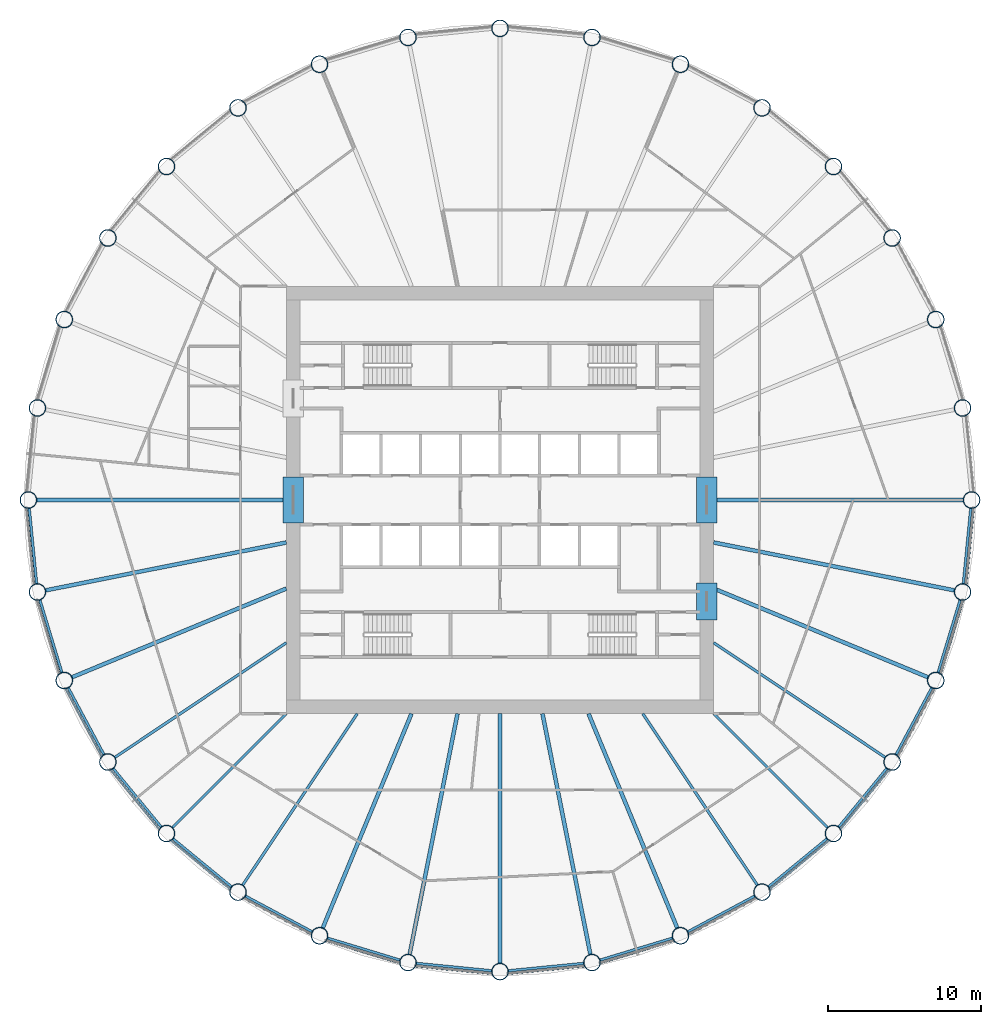
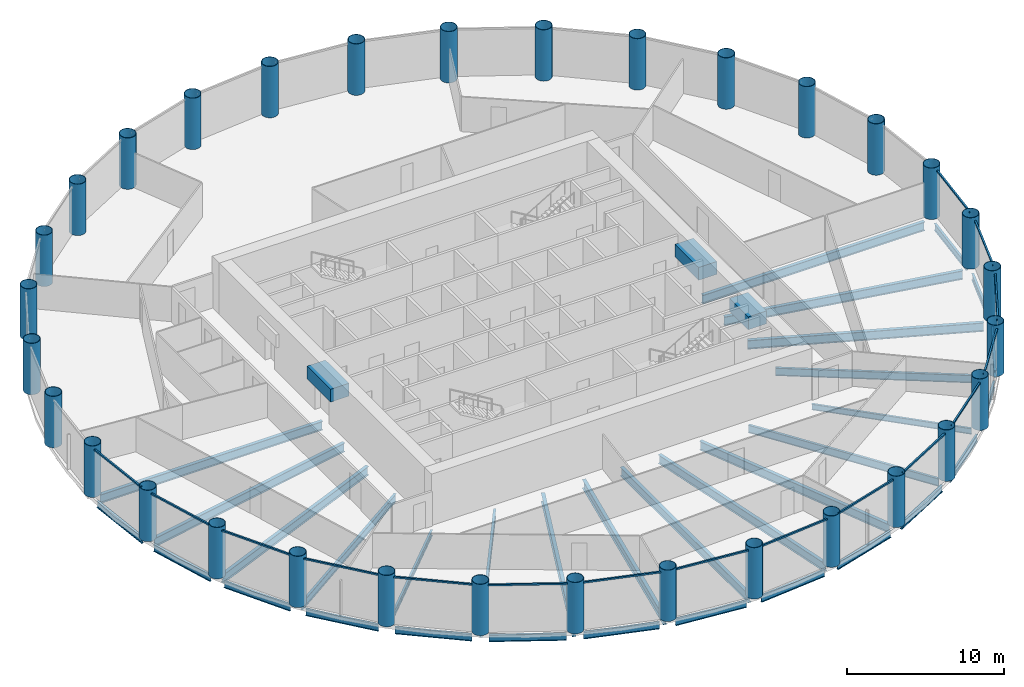
# One storey, part 1 of 9: 36 beams, 32 columns, 16 members, 16 elements without a shape of their own.
"""IFC4 building model written with IfcOpenShell, lengths in metres."""

import ifcopenshell
import ifcopenshell.guid

model = None  # the IFC model being written
_history = None  # IfcOwnerHistory: only IFC2X3 demands one
_inside = {}  # id of a spatial element -> (the spatial element, [elements in it])
_under = {}  # id of a project, library or spatial element -> (it, [spatial elements below it])
_declared = {}  # id of a project -> (the project, [libraries it declares])
_typed = {}  # id of a type object -> (the type object, [elements of that type])
_made_of = {}  # id of a material, layer set ... -> (it, [elements and type objects made of it])


def new_model(schema):
    """Start an empty IFC model of exactly this schema.

    Asked for "IFC4X3", IfcOpenShell would pick the latest addendum, in which some entities
    have other attributes; the version numbers below select the first issue.
    IFC2X3 requires an IfcOwnerHistory on every rooted entity: one is made here for all.
    """
    global model, _history
    if schema == "IFC4X3":
        model = ifcopenshell.file(schema_version=(4, 3, 0, 0))
    else:
        model = ifcopenshell.file(schema=schema)
    _inside.clear()
    _under.clear()
    _declared.clear()
    _typed.clear()
    _made_of.clear()
    _history = None
    if model.schema == "IFC2X3":
        org = make("IfcOrganization", Name="unknown")
        user = make(
            "IfcPersonAndOrganization",
            ThePerson=make("IfcPerson", FamilyName="unknown"),
            TheOrganization=org,
        )
        app = make(
            "IfcApplication",
            ApplicationDeveloper=org,
            Version="unknown",
            ApplicationFullName="unknown",
            ApplicationIdentifier="unknown",
        )
        _history = make(
            "IfcOwnerHistory",
            OwningUser=user,
            OwningApplication=app,
            ChangeAction="ADDED",
            CreationDate=0,
        )
    return model


def make(cls, **values):
    """One entity of the class cls with the attributes given. An attribute that is None is left unset."""
    return model.create_entity(
        cls, **{name: value for name, value in values.items() if value is not None}
    )


def rooted(cls, **values):
    """An entity with a GlobalId (a new one), such as an element, a storey or a relation."""
    return make(cls, GlobalId=ifcopenshell.guid.new(), OwnerHistory=_history, **values)


def si_unit(unit_type, name, prefix=None):
    """IfcSIUnit, for example si_unit("LENGTHUNIT", "METRE", prefix="MILLI")."""
    return make("IfcSIUnit", UnitType=unit_type, Prefix=prefix, Name=name)


def assignment(units):
    """IfcUnitAssignment: the units of a project."""
    return None if units is None else make("IfcUnitAssignment", Units=units)


def point(xyz):
    """IfcCartesianPoint."""
    return None if xyz is None else make("IfcCartesianPoint", Coordinates=xyz)


def direction(xyz):
    """IfcDirection."""
    return None if xyz is None else make("IfcDirection", DirectionRatios=xyz)


def frame(location, z_axis=None, x_axis=None):
    """IfcAxis2Placement3D, a coordinate frame: its origin and axes. An axis left out is left unset."""
    return make(
        "IfcAxis2Placement3D",
        Location=point(location),
        Axis=direction(z_axis),
        RefDirection=direction(x_axis),
    )


def frame_2d(location, x_axis=None):
    """IfcAxis2Placement2D, a coordinate frame in the plane: its origin and x axis."""
    return make(
        "IfcAxis2Placement2D", Location=point(location), RefDirection=direction(x_axis)
    )


def origin():
    """The frame at (0, 0, 0) with its axes left unset."""
    return frame((0.0, 0.0, 0.0))


def origin_2d():
    """The frame at (0, 0) in the plane with its x axis left unset."""
    return frame_2d((0.0, 0.0))


def place(relative_to, where):
    """IfcLocalPlacement: puts the frame where relative to a parent placement (None: the world)."""
    return make(
        "IfcLocalPlacement", PlacementRelTo=relative_to, RelativePlacement=where
    )


def context(
    kind, dimensions, precision=None, world=None, true_north=None, identifier=None
):
    """IfcGeometricRepresentationContext, for example the 3D "Model" context."""
    return make(
        "IfcGeometricRepresentationContext",
        ContextIdentifier=identifier,
        ContextType=kind,
        CoordinateSpaceDimension=dimensions,
        Precision=precision,
        WorldCoordinateSystem=world,
        TrueNorth=true_north,
    )


def subcontext(parent, identifier, kind, view, scale=None):
    """IfcGeometricRepresentationSubContext, for example "Body" below "Model"."""
    return make(
        "IfcGeometricRepresentationSubContext",
        ContextIdentifier=identifier,
        ContextType=kind,
        ParentContext=parent,
        TargetScale=scale,
        TargetView=view,
    )


def project(units=None, contexts=None):
    """IfcProject with its units and contexts."""
    return rooted(
        "IfcProject",
        Name="project",
        RepresentationContexts=contexts,
        UnitsInContext=assignment(units),
    )


def spatial(cls, under=None, at=None, **own):
    """A site, building, storey or space (cls), placed at a placement, below another one or the project."""
    s = rooted(cls, ObjectPlacement=at, **own)
    if under is not None:
        _under.setdefault(under.id(), (under, []))[1].append(s)
    return s


def profile(cls, at=None, kind="AREA", **sizes):
    """A parametric profile (cls). Its sizes go by their IFC names, for example OverallWidth=200.0."""
    return make(cls, ProfileType=kind, Position=at, **sizes)


def rectangle(**sizes):
    """IfcRectangleProfileDef."""
    return profile("IfcRectangleProfileDef", **sizes)


def hollow_circle(**sizes):
    """IfcCircleHollowProfileDef."""
    return profile("IfcCircleHollowProfileDef", **sizes)


def i_section(**sizes):
    """IfcIShapeProfileDef."""
    return profile("IfcIShapeProfileDef", **sizes)


def extrude(swept, where, along, depth):
    """IfcExtrudedAreaSolid: the profile swept, set in the frame where, extruded along a direction by depth."""
    return make(
        "IfcExtrudedAreaSolid",
        SweptArea=swept,
        Position=where,
        ExtrudedDirection=direction(along),
        Depth=depth,
    )


def shape(context_of_items, identifier, shape_type, items):
    """IfcShapeRepresentation: the items that make up one representation, for example the "Body"."""
    return make(
        "IfcShapeRepresentation",
        ContextOfItems=context_of_items,
        RepresentationIdentifier=identifier,
        RepresentationType=shape_type,
        Items=items,
    )


def material(Name=None, Category=None):
    """IfcMaterial."""
    return make("IfcMaterial", Name=Name, Category=Category)


def material_profile(
    of_material, cross_section, Name=None, Category=None, Priority=None
):
    """IfcMaterialProfile: a cross section and its material."""
    return make(
        "IfcMaterialProfile",
        Name=Name,
        Material=of_material,
        Profile=cross_section,
        Priority=Priority,
        Category=Category,
    )


def profile_set(profiles, Name=None, composite=None):
    """IfcMaterialProfileSet."""
    return make(
        "IfcMaterialProfileSet",
        Name=Name,
        MaterialProfiles=profiles,
        CompositeProfile=composite,
    )


def made_of(thing, what):
    """Note that an element or type object is made of a material, layer set ...; save() writes the relation."""
    if what is not None:
        _made_of.setdefault(what.id(), (what, []))[1].append(thing)
    return thing


def type_object(cls, material=None, **own):
    """A type object (cls), such as IfcWallType, which elements share."""
    return made_of(rooted(cls, **own), material)


def element(
    cls,
    number,
    at=None,
    inside=None,
    cuts=None,
    type_object=None,
    material=None,
    context=None,
    identifier="Body",
    shape_type=None,
    held_by="IfcProductDefinitionShape",
    body=None,
    shapes=None,
    **own,
):
    """One element of the class cls, such as IfcWall. Its Tag is "e" and its number.

    at: its placement. inside: the storey or other place that contains it. cuts: it is an
    opening in that element (IfcRelVoidsElement). A single representation is given by context,
    identifier, shape_type and body (its items); several are given by shapes. held_by: the class
    of the entity that holds the representations. save() writes the other relations.
    """
    e = rooted(cls, Tag="e%d" % number, ObjectPlacement=at, **own)
    if body is not None:
        shapes = [shape(context, identifier, shape_type, body)]
    if shapes is not None:
        e.Representation = make(held_by, Representations=shapes)
    if inside is not None:
        _inside.setdefault(inside.id(), (inside, []))[1].append(e)
    if cuts is not None:
        rooted(
            "IfcRelVoidsElement", RelatingBuildingElement=cuts, RelatedOpeningElement=e
        )
    if type_object is not None:
        _typed.setdefault(type_object.id(), (type_object, []))[1].append(e)
    return made_of(e, material)


def aggregate(whole, parts):
    """IfcRelAggregates: a whole, such as a stair, and the parts it consists of."""
    return rooted("IfcRelAggregates", RelatingObject=whole, RelatedObjects=parts)


def save(model, path):
    """Write the relations noted so far, then the file.

    IfcRelAggregates (storeys below a building ...), IfcRelContainedInSpatialStructure (elements
    in a storey), IfcRelDefinesByType, IfcRelAssociatesMaterial and IfcRelDeclares: one each for
    every whole, place, type object, material and project.
    """
    for whole, parts in _under.values():
        aggregate(whole, parts)
    for where, things in _inside.values():
        rooted(
            "IfcRelContainedInSpatialStructure",
            RelatedElements=things,
            RelatingStructure=where,
        )
    for kind, things in _typed.values():
        rooted("IfcRelDefinesByType", RelatedObjects=things, RelatingType=kind)
    for what, things in _made_of.values():
        rooted("IfcRelAssociatesMaterial", RelatedObjects=things, RelatingMaterial=what)
    for by, libraries in _declared.values():
        rooted("IfcRelDeclares", RelatingContext=by, RelatedDefinitions=libraries)
    model.write(path)


model = new_model("IFC4")

# Units and contexts
model_context = context("Model", 3, precision=1e-05, world=origin(), true_north=direction((0.0, 1.0)))
body_context = subcontext(model_context, "Body", "Model", "MODEL_VIEW")
ifc_project = project(units=[si_unit("LENGTHUNIT", "METRE"), si_unit("AREAUNIT", "SQUARE_METRE"), si_unit("VOLUMEUNIT", "CUBIC_METRE"), si_unit("PLANEANGLEUNIT", "RADIAN"), si_unit("MASSUNIT", "GRAM", prefix="KILO")], contexts=[model_context])

# Site, building, storey
site_placement = place(None, origin())
site = spatial("IfcSite", under=ifc_project, at=site_placement, CompositionType="ELEMENT")
building_placement = place(site_placement, origin())
building = spatial("IfcBuilding", under=site, at=building_placement, Name="Corvane Civic Tower", CompositionType="ELEMENT")
storey_placement = place(building_placement, frame((0.0, 0.0, 164.0)))
storey = spatial("IfcBuildingStorey", under=building, at=storey_placement, Name="L38", CompositionType="ELEMENT", Elevation=164.0)

# Columns
ifc_material_1 = material(Name="Steel ASTM A572 Gr 50", Category="steel")
ifc_material_profile_1 = material_profile(ifc_material_1, hollow_circle(Radius=0.550048828125, WallThickness=0.031982421875, at=origin_2d()), Name="CHS1100X32")
ifc_profile_set_1 = profile_set([ifc_material_profile_1], Name="Steel ASTM A572 Gr 50")
column_type = type_object("IfcColumnType", Name="COMPOSITE COLUMN CHS1100X32", PredefinedType="COLUMN", material=ifc_profile_set_1)
for number, where, z_axis, x_axis, name in (
    (1, (0.0, 30.89990234375, 0.0), (0.0, 0.0, 1.0), (1.0, 0.0, 0.0), "COL-L38-C01"),
    (2, (6.0283203125, 30.30615234375, 0.0), (0.0, 0.0, 1.0), (1.0, 0.0, 0.0), "COL-L38-C02"),
    (3, (11.824951171875, 28.5478515625, 0.0), (0.0, 0.0, 1.0), (1.0, 0.0, 0.0), "COL-L38-C03"),
    (4, (17.167236328125, 25.6923828125, 0.0), (0.0, 0.0, 1.0), (1.0, 0.0, 0.0), "COL-L38-C04"),
    (5, (21.849609375, 21.849609375, 0.0), (0.0, 0.0, 1.0), (1.0, 0.0, 0.0), "COL-L38-C05"),
    (6, (25.6923828125, 17.167236328125, 0.0), (0.0, 0.0, 1.0), (1.0, 0.0, 0.0), "COL-L38-C06"),
    (7, (28.5478515625, 11.824951171875, 0.0), (0.0, 0.0, 1.0), (1.0, 0.0, 0.0), "COL-L38-C07"),
    (8, (30.30615234375, 6.0283203125, 0.0), (0.0, 0.0, 1.0), (1.0, 0.0, 0.0), "COL-L38-C08"),
    (9, (30.89990234375, 0.0, 0.0), (0.0, 0.0, 1.0), (1.0, 0.0, 0.0), "COL-L38-C09"),
    (10, (30.30615234375, -6.0283203125, 0.0), (0.0, 0.0, 1.0), (1.0, 0.0, 0.0), "COL-L38-C10"),
    (11, (28.5478515625, -11.824951171875, 0.0), (0.0, 0.0, 1.0), (1.0, 0.0, 0.0), "COL-L38-C11"),
    (12, (25.6923828125, -17.167236328125, 0.0), (0.0, 0.0, 1.0), (1.0, 0.0, 0.0), "COL-L38-C12"),
    (13, (21.849609375, -21.849609375, 0.0), (0.0, 0.0, 1.0), (1.0, 0.0, 0.0), "COL-L38-C13"),
    (14, (17.167236328125, -25.6923828125, 0.0), (0.0, 0.0, 1.0), (1.0, 0.0, 0.0), "COL-L38-C14"),
    (15, (11.824951171875, -28.5478515625, 0.0), (0.0, 0.0, 1.0), (1.0, 0.0, 0.0), "COL-L38-C15"),
    (16, (6.0283203125, -30.30615234375, 0.0), (0.0, 0.0, 1.0), (1.0, 0.0, 0.0), "COL-L38-C16"),
    (17, (0.0, -30.89990234375, 0.0), (0.0, 0.0, 1.0), (1.0, 0.0, 0.0), "COL-L38-C17"),
    (18, (-6.0283203125, -30.30615234375, 0.0), (0.0, 0.0, 1.0), (1.0, 0.0, 0.0), "COL-L38-C18"),
    (19, (-11.824951171875, -28.5478515625, 0.0), (0.0, 0.0, 1.0), (1.0, 0.0, 0.0), "COL-L38-C19"),
    (20, (-17.167236328125, -25.6923828125, 0.0), (0.0, 0.0, 1.0), (1.0, 0.0, 0.0), "COL-L38-C20"),
    (21, (-21.849609375, -21.849609375, 0.0), (0.0, 0.0, 1.0), (1.0, 0.0, 0.0), "COL-L38-C21"),
    (22, (-25.6923828125, -17.167236328125, 0.0), (0.0, 0.0, 1.0), (1.0, 0.0, 0.0), "COL-L38-C22"),
    (23, (-28.5478515625, -11.824951171875, 0.0), (0.0, 0.0, 1.0), (1.0, 0.0, 0.0), "COL-L38-C23"),
    (24, (-30.30615234375, -6.0283203125, 0.0), (0.0, 0.0, 1.0), (1.0, 0.0, 0.0), "COL-L38-C24"),
    (25, (-30.89990234375, 0.0, 0.0), (0.0, 0.0, 1.0), (1.0, 0.0, 0.0), "COL-L38-C25"),
    (26, (-30.30615234375, 6.0283203125, 0.0), (0.0, 0.0, 1.0), (1.0, 0.0, 0.0), "COL-L38-C26"),
    (27, (-28.5478515625, 11.824951171875, 0.0), (0.0, 0.0, 1.0), (1.0, 0.0, 0.0), "COL-L38-C27"),
    (28, (-25.6923828125, 17.167236328125, 0.0), (0.0, 0.0, 1.0), (1.0, 0.0, 0.0), "COL-L38-C28"),
    (29, (-21.849609375, 21.849609375, 0.0), (0.0, 0.0, 1.0), (1.0, 0.0, 0.0), "COL-L38-C29"),
    (30, (-17.167236328125, 25.6923828125, 0.0), (0.0, 0.0, 1.0), (1.0, 0.0, 0.0), "COL-L38-C30"),
    (31, (-11.824951171875, 28.5478515625, 0.0), (0.0, 0.0, 1.0), (1.0, 0.0, 0.0), "COL-L38-C31"),
    (32, (-6.0283203125, 30.30615234375, 0.0), (0.0, 0.0, 1.0), (1.0, 0.0, 0.0), "COL-L38-C32"),
):
    element("IfcColumn", number, at=place(storey_placement, frame(where, z_axis=z_axis, x_axis=x_axis)), inside=storey, type_object=column_type, Name=name, PredefinedType="COLUMN", context=body_context, shape_type="SweptSolid", body=[
        extrude(hollow_circle(Radius=0.550048828125, WallThickness=0.031982421875, at=origin_2d()), origin(), (0.0, 0.0, 1.0), 4.0),
    ])

# Beams
ifc_material_2 = material(Name="Concrete C60/75", Category="concrete")
ifc_material_profile_2 = material_profile(ifc_material_2, rectangle(XDim=1.35009765625, YDim=1.0, at=origin_2d()), Name="COUPLING BEAM 1350X1000")
ifc_profile_set_2 = profile_set([ifc_material_profile_2], Name="Concrete C60/75")
beam_type_1 = type_object("IfcBeamType", Name="COUPLING BEAM COUPLING BEAM 1350X1000", PredefinedType="BEAM", material=ifc_profile_set_2)
for number, where, z_axis, x_axis, name in (
    (33, (-13.550048828125, -1.5, 2.60009765625), (0.0, 1.0, 0.0), (-1.0, 0.0, 0.0), "BM-L38-cpl-CW-LW"),
    (34, (13.550048828125, -1.5, 2.60009765625), (0.0, 1.0, 0.0), (-1.0, 0.0, 0.0), "BM-L38-cpl-CW-LE"),
):
    element("IfcBeam", number, at=place(storey_placement, frame(where, z_axis=z_axis, x_axis=x_axis)), inside=storey, type_object=beam_type_1, Name=name, PredefinedType="BEAM", context=body_context, shape_type="SweptSolid", body=[
        extrude(rectangle(XDim=1.35009765625, YDim=1.0, at=origin_2d()), origin(), (0.0, 0.0, 1.0), 3.0),
    ])
beam_1_placement = place(storey_placement, frame((13.550048828125, -7.85009765625, 2.60009765625), z_axis=(0.0, 1.0, 0.0), x_axis=(-1.0, 0.0, 0.0)))
element("IfcBeam", 35, at=beam_1_placement, inside=storey, type_object=beam_type_1, Name="BM-L38-cpl-CW-ES", PredefinedType="BEAM", context=body_context, shape_type="SweptSolid", body=[
    extrude(rectangle(XDim=1.35009765625, YDim=1.0, at=origin_2d()), origin(), (0.0, 0.0, 1.0), 2.400146484375),
])
ifc_material_3 = material(Name="Steel ASTM A992 Gr 50", Category="steel")
ifc_material_profile_3 = material_profile(ifc_material_3, i_section(OverallWidth=0.165771484375, OverallDepth=0.5283203125, WebThickness=0.009765625, FlangeThickness=0.013671875, at=origin_2d()), Name="W21X50")
ifc_profile_set_3 = profile_set([ifc_material_profile_3], Name="Steel ASTM A992 Gr 50")
beam_type_2 = type_object("IfcBeamType", Name="EDGE BEAM W21X50", PredefinedType="BEAM", material=ifc_profile_set_3)
beam_2_placement = place(storey_placement, frame((30.845947265625, -0.54736328125, -0.564208984375), z_axis=(-0.09800181167, -0.995186236294, 0.0), x_axis=(0.995186236294, -0.09800181167, 0.0)))
element("IfcBeam", 36, at=beam_2_placement, inside=storey, type_object=beam_type_2, Name="BM-L38-E09", PredefinedType="BEAM", context=body_context, shape_type="SweptSolid", body=[
    extrude(i_section(OverallWidth=0.165771484375, OverallDepth=0.5283203125, WebThickness=0.009765625, FlangeThickness=0.013671875, at=origin_2d()), origin(), (0.0, 0.0, 1.0), 4.95751953125),
])
beam_3_placement = place(storey_placement, frame((30.146484375, -6.5546875, -0.564208984375), z_axis=(-0.290269821381, -0.956944842086, 0.0), x_axis=(0.956944842086, -0.290269821381, 0.0)))
element("IfcBeam", 37, at=beam_3_placement, inside=storey, type_object=beam_type_2, Name="BM-L38-E10", PredefinedType="BEAM", context=body_context, shape_type="SweptSolid", body=[
    extrude(i_section(OverallWidth=0.165771484375, OverallDepth=0.5283203125, WebThickness=0.009765625, FlangeThickness=0.013671875, at=origin_2d()), origin(), (0.0, 0.0, 1.0), 4.957275390625),
])
for number, where, z_axis, x_axis, name in (
    (38, (28.28857421875, -12.31005859375, -0.564208984375), (-0.471395763042, -0.881921784846, 0.0), (0.881921784846, -0.471395763042, 0.0), "BM-L38-E11"),
    (39, (25.343505859375, -17.59228515625, -0.564208984375), (-0.634387546532, -0.77301516208, 0.0), (0.77301516208, -0.634387546532, 0.0), "BM-L38-E12"),
    (40, (21.424560546875, -22.198486328125, -0.564208984375), (-0.77301516208, -0.634387546532, 0.0), (0.634387546532, -0.77301516208, 0.0), "BM-L38-E13"),
    (41, (16.68212890625, -25.95166015625, -0.564208984375), (-0.881921784846, -0.471395763042, 0.0), (0.471395763042, -0.881921784846, 0.0), "BM-L38-E14"),
):
    element("IfcBeam", number, at=place(storey_placement, frame(where, z_axis=z_axis, x_axis=x_axis)), inside=storey, type_object=beam_type_2, Name=name, PredefinedType="BEAM", context=body_context, shape_type="SweptSolid", body=[
        extrude(i_section(OverallWidth=0.165771484375, OverallDepth=0.5283203125, WebThickness=0.009765625, FlangeThickness=0.013671875, at=origin_2d()), origin(), (0.0, 0.0, 1.0), 4.95751953125),
    ])
beam_4_placement = place(storey_placement, frame((11.298583984375, -28.70751953125, -0.564208984375), z_axis=(-0.956944842086, -0.290269821381, 0.0), x_axis=(0.290269821381, -0.956944842086, 0.0)))
element("IfcBeam", 42, at=beam_4_placement, inside=storey, type_object=beam_type_2, Name="BM-L38-E15", PredefinedType="BEAM", context=body_context, shape_type="SweptSolid", body=[
    extrude(i_section(OverallWidth=0.165771484375, OverallDepth=0.5283203125, WebThickness=0.009765625, FlangeThickness=0.013671875, at=origin_2d()), origin(), (0.0, 0.0, 1.0), 4.957275390625),
])
for number, where, z_axis, x_axis, name in (
    (43, (5.48095703125, -30.360107421875, -0.564208984375), (-0.995186236294, -0.09800181167, 0.0), (0.09800181167, -0.995186236294, 0.0), "BM-L38-E16"),
    (44, (-0.54736328125, -30.845947265625, -0.564208984375), (-0.995186236294, 0.09800181167, 0.0), (-0.09800181167, -0.995186236294, 0.0), "BM-L38-E17"),
):
    element("IfcBeam", number, at=place(storey_placement, frame(where, z_axis=z_axis, x_axis=x_axis)), inside=storey, type_object=beam_type_2, Name=name, PredefinedType="BEAM", context=body_context, shape_type="SweptSolid", body=[
        extrude(i_section(OverallWidth=0.165771484375, OverallDepth=0.5283203125, WebThickness=0.009765625, FlangeThickness=0.013671875, at=origin_2d()), origin(), (0.0, 0.0, 1.0), 4.95751953125),
    ])
beam_5_placement = place(storey_placement, frame((-6.5546875, -30.146484375, -0.564208984375), z_axis=(-0.956944842086, 0.290269821381, 0.0), x_axis=(-0.290269821381, -0.956944842086, 0.0)))
element("IfcBeam", 45, at=beam_5_placement, inside=storey, type_object=beam_type_2, Name="BM-L38-E18", PredefinedType="BEAM", context=body_context, shape_type="SweptSolid", body=[
    extrude(i_section(OverallWidth=0.165771484375, OverallDepth=0.5283203125, WebThickness=0.009765625, FlangeThickness=0.013671875, at=origin_2d()), origin(), (0.0, 0.0, 1.0), 4.957275390625),
])
for number, where, z_axis, x_axis, name in (
    (46, (-12.31005859375, -28.28857421875, -0.564208984375), (-0.881921784846, 0.471395763042, 0.0), (-0.471395763042, -0.881921784846, 0.0), "BM-L38-E19"),
    (47, (-17.59228515625, -25.343505859375, -0.564208984375), (-0.77301516208, 0.634387546532, 0.0), (-0.634387546532, -0.77301516208, 0.0), "BM-L38-E20"),
    (48, (-22.198486328125, -21.424560546875, -0.564208984375), (-0.634387546532, 0.77301516208, 0.0), (-0.77301516208, -0.634387546532, 0.0), "BM-L38-E21"),
    (49, (-25.95166015625, -16.68212890625, -0.564208984375), (-0.471395763042, 0.881921784846, 0.0), (-0.881921784846, -0.471395763042, 0.0), "BM-L38-E22"),
):
    element("IfcBeam", number, at=place(storey_placement, frame(where, z_axis=z_axis, x_axis=x_axis)), inside=storey, type_object=beam_type_2, Name=name, PredefinedType="BEAM", context=body_context, shape_type="SweptSolid", body=[
        extrude(i_section(OverallWidth=0.165771484375, OverallDepth=0.5283203125, WebThickness=0.009765625, FlangeThickness=0.013671875, at=origin_2d()), origin(), (0.0, 0.0, 1.0), 4.95751953125),
    ])
beam_6_placement = place(storey_placement, frame((-28.70751953125, -11.298583984375, -0.564208984375), z_axis=(-0.290269821381, 0.956944842086, 0.0), x_axis=(-0.956944842086, -0.290269821381, 0.0)))
element("IfcBeam", 50, at=beam_6_placement, inside=storey, type_object=beam_type_2, Name="BM-L38-E23", PredefinedType="BEAM", context=body_context, shape_type="SweptSolid", body=[
    extrude(i_section(OverallWidth=0.165771484375, OverallDepth=0.5283203125, WebThickness=0.009765625, FlangeThickness=0.013671875, at=origin_2d()), origin(), (0.0, 0.0, 1.0), 4.957275390625),
])
beam_7_placement = place(storey_placement, frame((-30.360107421875, -5.48095703125, -0.564208984375), z_axis=(-0.09800181167, 0.995186236294, 0.0), x_axis=(-0.995186236294, -0.09800181167, 0.0)))
element("IfcBeam", 51, at=beam_7_placement, inside=storey, type_object=beam_type_2, Name="BM-L38-E24", PredefinedType="BEAM", context=body_context, shape_type="SweptSolid", body=[
    extrude(i_section(OverallWidth=0.165771484375, OverallDepth=0.5283203125, WebThickness=0.009765625, FlangeThickness=0.013671875, at=origin_2d()), origin(), (0.0, 0.0, 1.0), 4.95751953125),
])
ifc_material_4 = material(Name="Steel ASTM A992 Gr 50", Category="steel")
ifc_material_profile_4 = material_profile(ifc_material_4, i_section(OverallWidth=0.15283203125, OverallDepth=0.45458984375, WebThickness=0.008056640625, FlangeThickness=0.013427734375, at=origin_2d()), Name="W18X40")
ifc_profile_set_4 = profile_set([ifc_material_profile_4], Name="Steel ASTM A992 Gr 50")
beam_type_3 = type_object("IfcBeamType", Name="FLOOR GIRDER W18X40", PredefinedType="BEAM", material=ifc_profile_set_4)
for number, where, z_axis, x_axis, name in (
    (52, (14.0, -14.0, -0.52734375), (0.707106781187, -0.707106781187, 0.0), (0.707106781187, 0.707106781187, 0.0), "BM-L38-G13"),
    (53, (-14.0, -14.0, -0.52734375), (-0.707106781187, -0.707106781187, 0.0), (0.707106781187, -0.707106781187, 0.0), "BM-L38-G21"),
):
    element("IfcBeam", number, at=place(storey_placement, frame(where, z_axis=z_axis, x_axis=x_axis)), inside=storey, type_object=beam_type_3, Name=name, PredefinedType="BEAM", context=body_context, shape_type="SweptSolid", body=[
        extrude(i_section(OverallWidth=0.15283203125, OverallDepth=0.45458984375, WebThickness=0.008056640625, FlangeThickness=0.013427734375, at=origin_2d()), origin(), (0.0, 0.0, 1.0), 10.551025390625),
    ])
ifc_material_5 = material(Name="Steel ASTM A992 Gr 50", Category="steel")
ifc_material_profile_5 = material_profile(ifc_material_5, i_section(OverallWidth=0.177978515625, OverallDepth=0.599365234375, WebThickness=0.010009765625, FlangeThickness=0.012939453125, at=origin_2d()), Name="W24X55")
ifc_profile_set_5 = profile_set([ifc_material_profile_5], Name="Steel ASTM A992 Gr 50")
beam_type_4 = type_object("IfcBeamType", Name="FLOOR GIRDER W24X55", PredefinedType="BEAM", material=ifc_profile_set_5)
for number, where, z_axis, x_axis, name in (
    (54, (14.0, -9.3544921875, -0.599609375), (0.83146888399, -0.555571323015, 0.0), (0.555571323015, 0.83146888399, 0.0), "BM-L38-G12"),
    (55, (9.3544921875, -14.0, -0.599609375), (0.555571323015, -0.83146888399, 0.0), (0.83146888399, 0.555571323015, 0.0), "BM-L38-G14"),
    (56, (-9.3544921875, -14.0, -0.599609375), (-0.555571323015, -0.83146888399, 0.0), (0.83146888399, -0.555571323015, 0.0), "BM-L38-G20"),
    (57, (-14.0, -9.3544921875, -0.599609375), (-0.83146888399, -0.555571323015, 0.0), (0.555571323015, -0.83146888399, 0.0), "BM-L38-G22"),
):
    element("IfcBeam", number, at=place(storey_placement, frame(where, z_axis=z_axis, x_axis=x_axis)), inside=storey, type_object=beam_type_4, Name=name, PredefinedType="BEAM", context=body_context, shape_type="SweptSolid", body=[
        extrude(i_section(OverallWidth=0.177978515625, OverallDepth=0.599365234375, WebThickness=0.010009765625, FlangeThickness=0.012939453125, at=origin_2d()), origin(), (0.0, 0.0, 1.0), 13.512451171875),
    ])
ifc_material_6 = material(Name="Steel ASTM A992 Gr 50", Category="steel")
ifc_material_profile_6 = material_profile(ifc_material_6, i_section(OverallWidth=0.25390625, OverallDepth=0.67822265625, WebThickness=0.01171875, FlangeThickness=0.016357421875, at=origin_2d()), Name="W27X84")
ifc_profile_set_6 = profile_set([ifc_material_profile_6], Name="Steel ASTM A992 Gr 50")
beam_type_5 = type_object("IfcBeamType", Name="FLOOR GIRDER W27X84", PredefinedType="BEAM", material=ifc_profile_set_6)
beam_8_placement = place(storey_placement, frame((14.0, 0.0, -0.63916015625), z_axis=(1.0, 0.0, 0.0), x_axis=(0.0, 1.0, 0.0)))
element("IfcBeam", 58, at=beam_8_placement, inside=storey, type_object=beam_type_5, Name="BM-L38-G09", PredefinedType="BEAM", context=body_context, shape_type="SweptSolid", body=[
    extrude(i_section(OverallWidth=0.25390625, OverallDepth=0.67822265625, WebThickness=0.01171875, FlangeThickness=0.016357421875, at=origin_2d()), origin(), (0.0, 0.0, 1.0), 16.35009765625),
])
beam_9_placement = place(storey_placement, frame((14.0, -2.78466796875, -0.63916015625), z_axis=(0.980785162999, -0.195090912248, 0.0), x_axis=(0.195090912248, 0.980785162999, 0.0)))
element("IfcBeam", 59, at=beam_9_placement, inside=storey, type_object=beam_type_5, Name="BM-L38-G10", PredefinedType="BEAM", context=body_context, shape_type="SweptSolid", body=[
    extrude(i_section(OverallWidth=0.25390625, OverallDepth=0.67822265625, WebThickness=0.01171875, FlangeThickness=0.016357421875, at=origin_2d()), origin(), (0.0, 0.0, 1.0), 16.07568359375),
])
for number, where, z_axis, x_axis, name in (
    (60, (14.0, -5.799072265625, -0.63916015625), (0.923880551114, -0.38268097323, 0.0), (0.38268097323, 0.923880551114, 0.0), "BM-L38-G11"),
    (61, (5.799072265625, -14.0, -0.63916015625), (0.38268097323, -0.923880551114, 0.0), (0.923880551114, 0.38268097323, 0.0), "BM-L38-G15"),
):
    element("IfcBeam", number, at=place(storey_placement, frame(where, z_axis=z_axis, x_axis=x_axis)), inside=storey, type_object=beam_type_5, Name=name, PredefinedType="BEAM", context=body_context, shape_type="SweptSolid", body=[
        extrude(i_section(OverallWidth=0.25390625, OverallDepth=0.67822265625, WebThickness=0.01171875, FlangeThickness=0.016357421875, at=origin_2d()), origin(), (0.0, 0.0, 1.0), 15.196533203125),
    ])
beam_10_placement = place(storey_placement, frame((2.78466796875, -14.0, -0.63916015625), z_axis=(0.195090912248, -0.980785162999, 0.0), x_axis=(0.980785162999, 0.195090912248, 0.0)))
element("IfcBeam", 62, at=beam_10_placement, inside=storey, type_object=beam_type_5, Name="BM-L38-G16", PredefinedType="BEAM", context=body_context, shape_type="SweptSolid", body=[
    extrude(i_section(OverallWidth=0.25390625, OverallDepth=0.67822265625, WebThickness=0.01171875, FlangeThickness=0.016357421875, at=origin_2d()), origin(), (0.0, 0.0, 1.0), 16.07568359375),
])
beam_11_placement = place(storey_placement, frame((0.0, -14.0, -0.63916015625), z_axis=(0.0, -1.0, 0.0), x_axis=(1.0, 0.0, 0.0)))
element("IfcBeam", 63, at=beam_11_placement, inside=storey, type_object=beam_type_5, Name="BM-L38-G17", PredefinedType="BEAM", context=body_context, shape_type="SweptSolid", body=[
    extrude(i_section(OverallWidth=0.25390625, OverallDepth=0.67822265625, WebThickness=0.01171875, FlangeThickness=0.016357421875, at=origin_2d()), origin(), (0.0, 0.0, 1.0), 16.35009765625),
])
beam_12_placement = place(storey_placement, frame((-2.78466796875, -14.0, -0.63916015625), z_axis=(-0.195090912248, -0.980785162999, 0.0), x_axis=(0.980785162999, -0.195090912248, 0.0)))
element("IfcBeam", 64, at=beam_12_placement, inside=storey, type_object=beam_type_5, Name="BM-L38-G18", PredefinedType="BEAM", context=body_context, shape_type="SweptSolid", body=[
    extrude(i_section(OverallWidth=0.25390625, OverallDepth=0.67822265625, WebThickness=0.01171875, FlangeThickness=0.016357421875, at=origin_2d()), origin(), (0.0, 0.0, 1.0), 16.07568359375),
])
for number, where, z_axis, x_axis, name in (
    (65, (-5.799072265625, -14.0, -0.63916015625), (-0.38268097323, -0.923880551114, 0.0), (0.923880551114, -0.38268097323, 0.0), "BM-L38-G19"),
    (66, (-14.0, -5.799072265625, -0.63916015625), (-0.923880551114, -0.38268097323, 0.0), (0.38268097323, -0.923880551114, 0.0), "BM-L38-G23"),
):
    element("IfcBeam", number, at=place(storey_placement, frame(where, z_axis=z_axis, x_axis=x_axis)), inside=storey, type_object=beam_type_5, Name=name, PredefinedType="BEAM", context=body_context, shape_type="SweptSolid", body=[
        extrude(i_section(OverallWidth=0.25390625, OverallDepth=0.67822265625, WebThickness=0.01171875, FlangeThickness=0.016357421875, at=origin_2d()), origin(), (0.0, 0.0, 1.0), 15.196533203125),
    ])
beam_13_placement = place(storey_placement, frame((-14.0, -2.78466796875, -0.63916015625), z_axis=(-0.980785162999, -0.195090912248, 0.0), x_axis=(0.195090912248, -0.980785162999, 0.0)))
element("IfcBeam", 67, at=beam_13_placement, inside=storey, type_object=beam_type_5, Name="BM-L38-G24", PredefinedType="BEAM", context=body_context, shape_type="SweptSolid", body=[
    extrude(i_section(OverallWidth=0.25390625, OverallDepth=0.67822265625, WebThickness=0.01171875, FlangeThickness=0.016357421875, at=origin_2d()), origin(), (0.0, 0.0, 1.0), 16.07568359375),
])
beam_14_placement = place(storey_placement, frame((-14.0, 0.0, -0.63916015625), z_axis=(-1.0, 0.0, 0.0), x_axis=(0.0, -1.0, 0.0)))
element("IfcBeam", 68, at=beam_14_placement, inside=storey, type_object=beam_type_5, Name="BM-L38-G25", PredefinedType="BEAM", context=body_context, shape_type="SweptSolid", body=[
    extrude(i_section(OverallWidth=0.25390625, OverallDepth=0.67822265625, WebThickness=0.01171875, FlangeThickness=0.016357421875, at=origin_2d()), origin(), (0.0, 0.0, 1.0), 16.35009765625),
])

# Curtain wall, member
ifc_material_7 = material(Name="Anodised aluminium bronze", Category="aluminium")
curtain_wall_type = type_object("IfcCurtainWallType", Name="TOWER CW-T2 STICK CURTAIN WALL", PredefinedType="NOTDEFINED", material=ifc_material_7)
curtain_wall_1_placement = place(storey_placement, origin())
curtain_wall_1 = element("IfcCurtainWall", 69, at=curtain_wall_1_placement, inside=storey, type_object=curtain_wall_type, Name="Curtain wall CW-T2 L38 bay 09", PredefinedType="NOTDEFINED")
ifc_material_8 = material(Name="Anodised aluminium bronze", Category="aluminium")
ifc_material_profile_7 = material_profile(ifc_material_8, rectangle(XDim=0.1201171875, YDim=0.1201171875, at=origin_2d()), Name="TOWER CW-T2 TRANSOM 120x120")
ifc_profile_set_7 = profile_set([ifc_material_profile_7], Name="Anodised aluminium bronze")
member_type = type_object("IfcMemberType", Name="TOWER CW-T2 TRANSOM 120x120", PredefinedType="USERDEFINED", material=ifc_profile_set_7)
member_1_placement = place(storey_placement, frame((31.0302734375, -0.505126953125, 3.68994140625), z_axis=(-0.097989755963, -0.995187423416, 0.0), x_axis=(0.995187423416, -0.097989755963, 0.0)))
member_1 = element("IfcMember", 70, at=member_1_placement, type_object=member_type, Name="Transom CW-T2 L38 09.1", ObjectType="TRANSOM", PredefinedType="USERDEFINED", context=body_context, shape_type="SweptSolid", body=[
    extrude(rectangle(XDim=0.1201171875, YDim=0.1201171875, at=origin_2d()), origin(), (0.0, 0.0, 1.0), 5.07763671875),
])
aggregate(curtain_wall_1, [member_1])

curtain_wall_2_placement = place(storey_placement, origin())
curtain_wall_2 = element("IfcCurtainWall", 71, at=curtain_wall_2_placement, inside=storey, type_object=curtain_wall_type, Name="Curtain wall CW-T2 L38 bay 10", PredefinedType="NOTDEFINED")
member_2_placement = place(storey_placement, frame((30.33544921875, -6.54931640625, 3.68994140625), z_axis=(-0.290288977061, -0.956939031389, 0.0), x_axis=(0.956939031389, -0.290288977061, 0.0)))
member_2 = element("IfcMember", 72, at=member_2_placement, type_object=member_type, Name="Transom CW-T2 L38 10.1", ObjectType="TRANSOM", PredefinedType="USERDEFINED", context=body_context, shape_type="SweptSolid", body=[
    extrude(rectangle(XDim=0.1201171875, YDim=0.1201171875, at=origin_2d()), origin(), (0.0, 0.0, 1.0), 5.077392578125),
])
aggregate(curtain_wall_2, [member_2])

curtain_wall_3_placement = place(storey_placement, origin())
curtain_wall_3 = element("IfcCurtainWall", 73, at=curtain_wall_3_placement, inside=storey, type_object=curtain_wall_type, Name="Curtain wall CW-T2 L38 bay 11", PredefinedType="NOTDEFINED")
member_3_placement = place(storey_placement, frame((28.474853515625, -12.341552734375, 3.68994140625), z_axis=(-0.471396615074, -0.881921329426, 0.0), x_axis=(0.881921329426, -0.471396615074, 0.0)))
member_3 = element("IfcMember", 74, at=member_3_placement, type_object=member_type, Name="Transom CW-T2 L38 11.1", ObjectType="TRANSOM", PredefinedType="USERDEFINED", context=body_context, shape_type="SweptSolid", body=[
    extrude(rectangle(XDim=0.1201171875, YDim=0.1201171875, at=origin_2d()), origin(), (0.0, 0.0, 1.0), 5.07763671875),
])
aggregate(curtain_wall_3, [member_3])

curtain_wall_4_placement = place(storey_placement, origin())
curtain_wall_4 = element("IfcCurtainWall", 75, at=curtain_wall_4_placement, inside=storey, type_object=curtain_wall_type, Name="Curtain wall CW-T2 L38 bay 12", PredefinedType="NOTDEFINED")
member_4_placement = place(storey_placement, frame((25.519775390625, -17.65966796875, 3.68994140625), z_axis=(-0.634386611146, -0.773015929719, 0.0), x_axis=(0.773015929719, -0.634386611146, 0.0)))
member_4 = element("IfcMember", 76, at=member_4_placement, type_object=member_type, Name="Transom CW-T2 L38 12.1", ObjectType="TRANSOM", PredefinedType="USERDEFINED", context=body_context, shape_type="SweptSolid", body=[
    extrude(rectangle(XDim=0.1201171875, YDim=0.1201171875, at=origin_2d()), origin(), (0.0, 0.0, 1.0), 5.0771484375),
])
aggregate(curtain_wall_4, [member_4])

curtain_wall_5_placement = place(storey_placement, origin())
curtain_wall_5 = element("IfcCurtainWall", 77, at=curtain_wall_5_placement, inside=storey, type_object=curtain_wall_type, Name="Curtain wall CW-T2 L38 bay 13", PredefinedType="NOTDEFINED")
member_5_placement = place(storey_placement, frame((21.58447265625, -22.298828125, 3.68994140625), z_axis=(-0.773015929719, -0.634386611146, 0.0), x_axis=(0.634386611146, -0.773015929719, 0.0)))
member_5 = element("IfcMember", 78, at=member_5_placement, type_object=member_type, Name="Transom CW-T2 L38 13.1", ObjectType="TRANSOM", PredefinedType="USERDEFINED", context=body_context, shape_type="SweptSolid", body=[
    extrude(rectangle(XDim=0.1201171875, YDim=0.1201171875, at=origin_2d()), origin(), (0.0, 0.0, 1.0), 5.0771484375),
])
aggregate(curtain_wall_5, [member_5])

curtain_wall_6_placement = place(storey_placement, origin())
curtain_wall_6 = element("IfcCurtainWall", 79, at=curtain_wall_6_placement, inside=storey, type_object=curtain_wall_type, Name="Curtain wall CW-T2 L38 bay 14", PredefinedType="NOTDEFINED")
member_6_placement = place(storey_placement, frame((16.819580078125, -26.081298828125, 3.68994140625), z_axis=(-0.881921329426, -0.471396615074, 0.0), x_axis=(0.471396615074, -0.881921329426, 0.0)))
member_6 = element("IfcMember", 80, at=member_6_placement, type_object=member_type, Name="Transom CW-T2 L38 14.1", ObjectType="TRANSOM", PredefinedType="USERDEFINED", context=body_context, shape_type="SweptSolid", body=[
    extrude(rectangle(XDim=0.1201171875, YDim=0.1201171875, at=origin_2d()), origin(), (0.0, 0.0, 1.0), 5.07763671875),
])
aggregate(curtain_wall_6, [member_6])

curtain_wall_7_placement = place(storey_placement, origin())
curtain_wall_7 = element("IfcCurtainWall", 81, at=curtain_wall_7_placement, inside=storey, type_object=curtain_wall_type, Name="Curtain wall CW-T2 L38 bay 15", PredefinedType="NOTDEFINED")
member_7_placement = place(storey_placement, frame((11.407958984375, -28.861572265625, 3.68994140625), z_axis=(-0.956939031389, -0.290288977061, 0.0), x_axis=(0.290288977061, -0.956939031389, 0.0)))
member_7 = element("IfcMember", 82, at=member_7_placement, type_object=member_type, Name="Transom CW-T2 L38 15.1", ObjectType="TRANSOM", PredefinedType="USERDEFINED", context=body_context, shape_type="SweptSolid", body=[
    extrude(rectangle(XDim=0.1201171875, YDim=0.1201171875, at=origin_2d()), origin(), (0.0, 0.0, 1.0), 5.077392578125),
])
aggregate(curtain_wall_7, [member_7])

curtain_wall_8_placement = place(storey_placement, origin())
curtain_wall_8 = element("IfcCurtainWall", 83, at=curtain_wall_8_placement, inside=storey, type_object=curtain_wall_type, Name="Curtain wall CW-T2 L38 bay 16", PredefinedType="NOTDEFINED")
member_8_placement = place(storey_placement, frame((5.558349609375, -30.53271484375, 3.68994140625), z_axis=(-0.995187423416, -0.097989755963, 0.0), x_axis=(0.097989755963, -0.995187423416, 0.0)))
member_8 = element("IfcMember", 84, at=member_8_placement, type_object=member_type, Name="Transom CW-T2 L38 16.1", ObjectType="TRANSOM", PredefinedType="USERDEFINED", context=body_context, shape_type="SweptSolid", body=[
    extrude(rectangle(XDim=0.1201171875, YDim=0.1201171875, at=origin_2d()), origin(), (0.0, 0.0, 1.0), 5.07763671875),
])
aggregate(curtain_wall_8, [member_8])

curtain_wall_9_placement = place(storey_placement, origin())
curtain_wall_9 = element("IfcCurtainWall", 85, at=curtain_wall_9_placement, inside=storey, type_object=curtain_wall_type, Name="Curtain wall CW-T2 L38 bay 17", PredefinedType="NOTDEFINED")
member_9_placement = place(storey_placement, frame((-0.505126953125, -31.0302734375, 3.68994140625), z_axis=(-0.995187423416, 0.097989755963, 0.0), x_axis=(-0.097989755963, -0.995187423416, 0.0)))
member_9 = element("IfcMember", 86, at=member_9_placement, type_object=member_type, Name="Transom CW-T2 L38 17.1", ObjectType="TRANSOM", PredefinedType="USERDEFINED", context=body_context, shape_type="SweptSolid", body=[
    extrude(rectangle(XDim=0.1201171875, YDim=0.1201171875, at=origin_2d()), origin(), (0.0, 0.0, 1.0), 5.07763671875),
])
aggregate(curtain_wall_9, [member_9])

curtain_wall_10_placement = place(storey_placement, origin())
curtain_wall_10 = element("IfcCurtainWall", 87, at=curtain_wall_10_placement, inside=storey, type_object=curtain_wall_type, Name="Curtain wall CW-T2 L38 bay 18", PredefinedType="NOTDEFINED")
member_10_placement = place(storey_placement, frame((-6.54931640625, -30.33544921875, 3.68994140625), z_axis=(-0.956939031389, 0.290288977061, 0.0), x_axis=(-0.290288977061, -0.956939031389, 0.0)))
member_10 = element("IfcMember", 88, at=member_10_placement, type_object=member_type, Name="Transom CW-T2 L38 18.1", ObjectType="TRANSOM", PredefinedType="USERDEFINED", context=body_context, shape_type="SweptSolid", body=[
    extrude(rectangle(XDim=0.1201171875, YDim=0.1201171875, at=origin_2d()), origin(), (0.0, 0.0, 1.0), 5.077392578125),
])
aggregate(curtain_wall_10, [member_10])

curtain_wall_11_placement = place(storey_placement, origin())
curtain_wall_11 = element("IfcCurtainWall", 89, at=curtain_wall_11_placement, inside=storey, type_object=curtain_wall_type, Name="Curtain wall CW-T2 L38 bay 19", PredefinedType="NOTDEFINED")
member_11_placement = place(storey_placement, frame((-12.341552734375, -28.474853515625, 3.68994140625), z_axis=(-0.881921329426, 0.471396615074, 0.0), x_axis=(-0.471396615074, -0.881921329426, 0.0)))
member_11 = element("IfcMember", 90, at=member_11_placement, type_object=member_type, Name="Transom CW-T2 L38 19.1", ObjectType="TRANSOM", PredefinedType="USERDEFINED", context=body_context, shape_type="SweptSolid", body=[
    extrude(rectangle(XDim=0.1201171875, YDim=0.1201171875, at=origin_2d()), origin(), (0.0, 0.0, 1.0), 5.07763671875),
])
aggregate(curtain_wall_11, [member_11])

curtain_wall_12_placement = place(storey_placement, origin())
curtain_wall_12 = element("IfcCurtainWall", 91, at=curtain_wall_12_placement, inside=storey, type_object=curtain_wall_type, Name="Curtain wall CW-T2 L38 bay 20", PredefinedType="NOTDEFINED")
member_12_placement = place(storey_placement, frame((-17.65966796875, -25.519775390625, 3.68994140625), z_axis=(-0.773015929719, 0.634386611146, 0.0), x_axis=(-0.634386611146, -0.773015929719, 0.0)))
member_12 = element("IfcMember", 92, at=member_12_placement, type_object=member_type, Name="Transom CW-T2 L38 20.1", ObjectType="TRANSOM", PredefinedType="USERDEFINED", context=body_context, shape_type="SweptSolid", body=[
    extrude(rectangle(XDim=0.1201171875, YDim=0.1201171875, at=origin_2d()), origin(), (0.0, 0.0, 1.0), 5.0771484375),
])
aggregate(curtain_wall_12, [member_12])

curtain_wall_13_placement = place(storey_placement, origin())
curtain_wall_13 = element("IfcCurtainWall", 93, at=curtain_wall_13_placement, inside=storey, type_object=curtain_wall_type, Name="Curtain wall CW-T2 L38 bay 21", PredefinedType="NOTDEFINED")
member_13_placement = place(storey_placement, frame((-22.298828125, -21.58447265625, 3.68994140625), z_axis=(-0.634386611146, 0.773015929719, 0.0), x_axis=(-0.773015929719, -0.634386611146, 0.0)))
member_13 = element("IfcMember", 94, at=member_13_placement, type_object=member_type, Name="Transom CW-T2 L38 21.1", ObjectType="TRANSOM", PredefinedType="USERDEFINED", context=body_context, shape_type="SweptSolid", body=[
    extrude(rectangle(XDim=0.1201171875, YDim=0.1201171875, at=origin_2d()), origin(), (0.0, 0.0, 1.0), 5.0771484375),
])
aggregate(curtain_wall_13, [member_13])

curtain_wall_14_placement = place(storey_placement, origin())
curtain_wall_14 = element("IfcCurtainWall", 95, at=curtain_wall_14_placement, inside=storey, type_object=curtain_wall_type, Name="Curtain wall CW-T2 L38 bay 22", PredefinedType="NOTDEFINED")
member_14_placement = place(storey_placement, frame((-26.081298828125, -16.819580078125, 3.68994140625), z_axis=(-0.471396615074, 0.881921329426, 0.0), x_axis=(-0.881921329426, -0.471396615074, 0.0)))
member_14 = element("IfcMember", 96, at=member_14_placement, type_object=member_type, Name="Transom CW-T2 L38 22.1", ObjectType="TRANSOM", PredefinedType="USERDEFINED", context=body_context, shape_type="SweptSolid", body=[
    extrude(rectangle(XDim=0.1201171875, YDim=0.1201171875, at=origin_2d()), origin(), (0.0, 0.0, 1.0), 5.07763671875),
])
aggregate(curtain_wall_14, [member_14])

curtain_wall_15_placement = place(storey_placement, origin())
curtain_wall_15 = element("IfcCurtainWall", 97, at=curtain_wall_15_placement, inside=storey, type_object=curtain_wall_type, Name="Curtain wall CW-T2 L38 bay 23", PredefinedType="NOTDEFINED")
member_15_placement = place(storey_placement, frame((-28.861572265625, -11.407958984375, 3.68994140625), z_axis=(-0.290288977061, 0.956939031389, 0.0), x_axis=(-0.956939031389, -0.290288977061, 0.0)))
member_15 = element("IfcMember", 98, at=member_15_placement, type_object=member_type, Name="Transom CW-T2 L38 23.1", ObjectType="TRANSOM", PredefinedType="USERDEFINED", context=body_context, shape_type="SweptSolid", body=[
    extrude(rectangle(XDim=0.1201171875, YDim=0.1201171875, at=origin_2d()), origin(), (0.0, 0.0, 1.0), 5.077392578125),
])
aggregate(curtain_wall_15, [member_15])

curtain_wall_16_placement = place(storey_placement, origin())
curtain_wall_16 = element("IfcCurtainWall", 99, at=curtain_wall_16_placement, inside=storey, type_object=curtain_wall_type, Name="Curtain wall CW-T2 L38 bay 24", PredefinedType="NOTDEFINED")
member_16_placement = place(storey_placement, frame((-30.53271484375, -5.558349609375, 3.68994140625), z_axis=(-0.097989755963, 0.995187423416, 0.0), x_axis=(-0.995187423416, -0.097989755963, 0.0)))
member_16 = element("IfcMember", 100, at=member_16_placement, type_object=member_type, Name="Transom CW-T2 L38 24.1", ObjectType="TRANSOM", PredefinedType="USERDEFINED", context=body_context, shape_type="SweptSolid", body=[
    extrude(rectangle(XDim=0.1201171875, YDim=0.1201171875, at=origin_2d()), origin(), (0.0, 0.0, 1.0), 5.07763671875),
])
aggregate(curtain_wall_16, [member_16])

save(model, "model.ifc")
